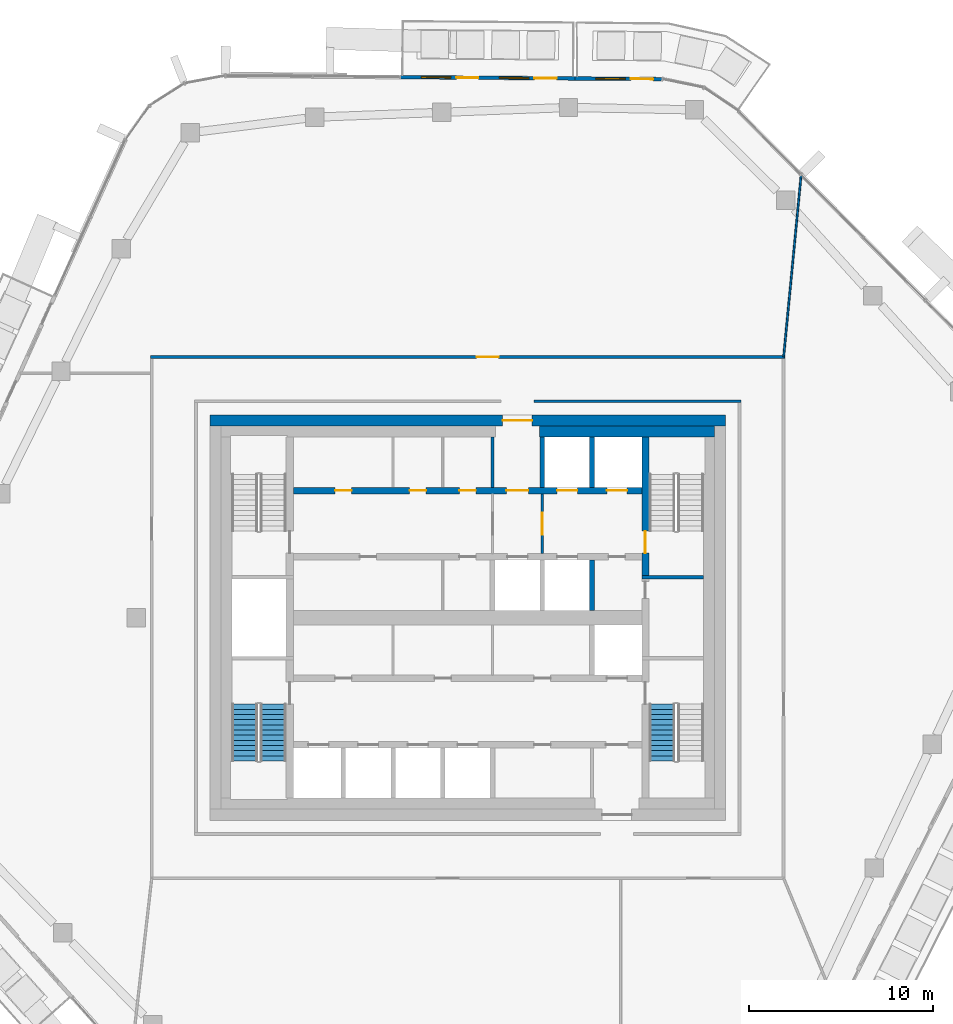
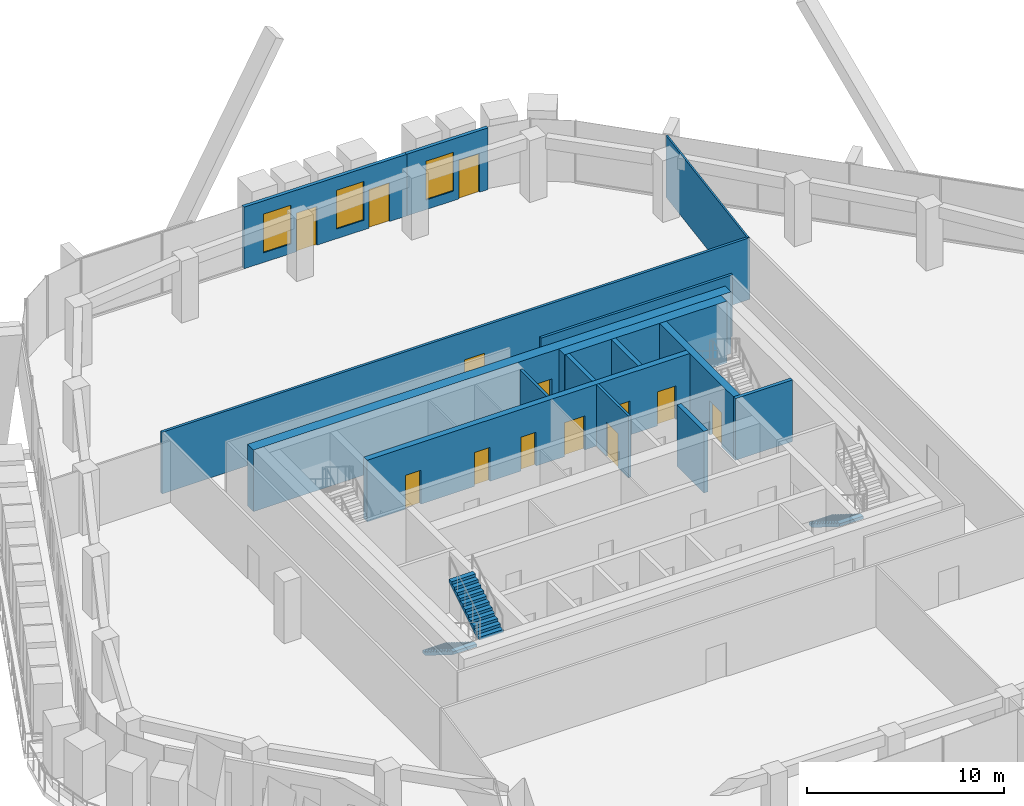
# One storey, part 15 of 23: 15 walls, 13 doors, 3 stair flights, 3 windows, 16 openings, 2 elements without a shape of their own.
"""IFC4 building model written with IfcOpenShell, lengths in metres."""

from ifc_helpers import new_model, si_unit, direction, frame, frame_2d, origin, place, context, subcontext, project, spatial, polyline, rectangle, outline, extrude, material, layer, layer_set, type_object, element, fill, aggregate, save


model = new_model("IFC4")

# Units and contexts
model_context = context("Model", 3, precision=1e-05, world=origin(), true_north=direction((0.0, 1.0)))
body_context = subcontext(model_context, "Body", "Model", "MODEL_VIEW")
ifc_project = project(units=[si_unit("LENGTHUNIT", "METRE"), si_unit("AREAUNIT", "SQUARE_METRE"), si_unit("VOLUMEUNIT", "CUBIC_METRE"), si_unit("PLANEANGLEUNIT", "RADIAN"), si_unit("MASSUNIT", "GRAM", prefix="KILO")], contexts=[model_context])

# Site, building, storey
site_placement = place(None, origin())
site = spatial("IfcSite", under=ifc_project, at=site_placement, CompositionType="ELEMENT")
building_placement = place(site_placement, origin())
building = spatial("IfcBuilding", under=site, at=building_placement, Name="Dongbaek Canopy Tower", CompositionType="ELEMENT")
storey_placement = place(building_placement, frame((0.0, 0.0, 327.800048828125)))
storey = spatial("IfcBuildingStorey", under=building, at=storey_placement, Name="L70", CompositionType="ELEMENT", Elevation=327.800048828125)

# Wall, openings, doors
ifc_material_1 = material(Name="Concrete C60/75", Category="concrete")
ifc_layer_1 = layer(ifc_material_1, 0.35009765625)
ifc_layer_set_1 = layer_set([ifc_layer_1], Name="Core lobby wall 350 Concrete C60/75")
wall_type_1 = type_object("IfcWallType", Name="Core lobby wall 350 Concrete C60/75", PredefinedType="SHEAR", material=ifc_layer_set_1)
wall_1_placement = place(storey_placement, frame((-9.449951171875, 6.89990234375, 0.0), z_axis=(0.0, 0.0, 1.0), x_axis=(1.0, 0.0, 0.0)))
wall_1 = element("IfcWall", 1, at=wall_1_placement, inside=storey, type_object=wall_type_1, Name="Core wall", PredefinedType="SHEAR", context=body_context, shape_type="SweptSolid", body=[
    extrude(rectangle(XDim=18.89990234375, YDim=0.35009765625, at=frame_2d((9.449951171875, 0.0))), origin(), (0.0, 0.0, 1.0), 3.820068359375),
])
opening_1_placement = place(wall_1_placement, frame((11.550048828125, 0.0, 0.0)))
opening_1 = element("IfcOpeningElement", 2, at=opening_1_placement, cuts=wall_1, Name="Opening L70-D008", PredefinedType="OPENING", context=body_context, shape_type="SweptSolid", body=[
    extrude(rectangle(XDim=1.199951171875, YDim=2.10009765625, at=frame_2d((0.60009765625, 1.050048828125))), frame((0.0, 0.18505859375, 0.0), z_axis=(0.0, -1.0, 0.0), x_axis=(1.0, 0.0, 0.0)), (0.0, 0.0, 1.0), 0.3701171875),
])
opening_2_placement = place(wall_1_placement, frame((14.300048828125, 0.0, 0.0)))
opening_2 = element("IfcOpeningElement", 3, at=opening_2_placement, cuts=wall_1, Name="Opening L70-D009", PredefinedType="OPENING", context=body_context, shape_type="SweptSolid", body=[
    extrude(rectangle(XDim=1.10009765625, YDim=2.10009765625, at=frame_2d((0.550048828125, 1.050048828125))), frame((0.0, 0.18505859375, 0.0), z_axis=(0.0, -1.0, 0.0), x_axis=(1.0, 0.0, 0.0)), (0.0, 0.0, 1.0), 0.3701171875),
])
opening_3_placement = place(wall_1_placement, frame((17.0, 0.0, 0.0)))
opening_3 = element("IfcOpeningElement", 4, at=opening_3_placement, cuts=wall_1, Name="Opening L70-D010", PredefinedType="OPENING", context=body_context, shape_type="SweptSolid", body=[
    extrude(rectangle(XDim=1.10009765625, YDim=2.10009765625, at=frame_2d((0.550048828125, 1.050048828125))), frame((0.0, 0.18505859375, 0.0), z_axis=(0.0, -1.0, 0.0), x_axis=(1.0, 0.0, 0.0)), (0.0, 0.0, 1.0), 0.3701171875),
])
opening_4_placement = place(wall_1_placement, frame((2.25, 0.0, 0.0)))
opening_4 = element("IfcOpeningElement", 5, at=opening_4_placement, cuts=wall_1, Name="Opening L70-D021", PredefinedType="OPENING", context=body_context, shape_type="SweptSolid", body=[
    extrude(rectangle(XDim=0.89990234375, YDim=2.10009765625, at=frame_2d((0.449951171875, 1.050048828125))), frame((0.0, 0.18505859375, 0.0), z_axis=(0.0, -1.0, 0.0), x_axis=(1.0, 0.0, 0.0)), (0.0, 0.0, 1.0), 0.3701171875),
])
opening_5_placement = place(wall_1_placement, frame((6.300048828125, 0.0, 0.0)))
opening_5 = element("IfcOpeningElement", 6, at=opening_5_placement, cuts=wall_1, Name="Opening L70-D022", PredefinedType="OPENING", context=body_context, shape_type="SweptSolid", body=[
    extrude(rectangle(XDim=0.89990234375, YDim=2.10009765625, at=frame_2d((0.449951171875, 1.050048828125))), frame((0.0, 0.18505859375, 0.0), z_axis=(0.0, -1.0, 0.0), x_axis=(1.0, 0.0, 0.0)), (0.0, 0.0, 1.0), 0.3701171875),
])
opening_6_placement = place(wall_1_placement, frame((9.0, 0.0, 0.0)))
opening_6 = element("IfcOpeningElement", 7, at=opening_6_placement, cuts=wall_1, Name="Opening L70-D023", PredefinedType="OPENING", context=body_context, shape_type="SweptSolid", body=[
    extrude(rectangle(XDim=0.89990234375, YDim=2.10009765625, at=frame_2d((0.449951171875, 1.050048828125))), frame((0.0, 0.18505859375, 0.0), z_axis=(0.0, -1.0, 0.0), x_axis=(1.0, 0.0, 0.0)), (0.0, 0.0, 1.0), 0.3701171875),
])
ifc_material_2 = material(Name="Steel", Category="steel")
door_type_1 = type_object("IfcDoorType", Name="Core room door 900 x 2100", OperationType="SINGLE_SWING_LEFT", PredefinedType="DOOR", material=ifc_material_2)
door_1_placement = place(opening_4_placement, origin())
door_1 = element("IfcDoor", 8, at=door_1_placement, inside=storey, type_object=door_type_1, Name="Door L70-D021", OperationType="SINGLE_SWING_RIGHT", OverallHeight=2.10009765625, OverallWidth=0.89990234375, PredefinedType="DOOR", context=body_context, shape_type="SweptSolid", body=[
    extrude(rectangle(XDim=0.89990234375, YDim=2.10009765625, at=frame_2d((0.449951171875, 1.050048828125))), frame((0.0, 0.02490234375, 0.0), z_axis=(0.0, -1.0, 0.0), x_axis=(1.0, 0.0, 0.0)), (0.0, 0.0, 1.0), 0.050048828125),
])
fill(opening_4, door_1)
door_2_placement = place(opening_5_placement, origin())
door_2 = element("IfcDoor", 9, at=door_2_placement, inside=storey, type_object=door_type_1, Name="Door L70-D022", OperationType="SINGLE_SWING_LEFT", OverallHeight=2.10009765625, OverallWidth=0.89990234375, PredefinedType="DOOR", context=body_context, shape_type="SweptSolid", body=[
    extrude(rectangle(XDim=0.89990234375, YDim=2.10009765625, at=frame_2d((0.449951171875, 1.050048828125))), frame((0.0, 0.02490234375, 0.0), z_axis=(0.0, -1.0, 0.0), x_axis=(1.0, 0.0, 0.0)), (0.0, 0.0, 1.0), 0.050048828125),
])
fill(opening_5, door_2)
door_3_placement = place(opening_6_placement, origin())
door_3 = element("IfcDoor", 10, at=door_3_placement, inside=storey, type_object=door_type_1, Name="Door L70-D023", OperationType="SINGLE_SWING_RIGHT", OverallHeight=2.10009765625, OverallWidth=0.89990234375, PredefinedType="DOOR", context=body_context, shape_type="SweptSolid", body=[
    extrude(rectangle(XDim=0.89990234375, YDim=2.10009765625, at=frame_2d((0.449951171875, 1.050048828125))), frame((0.0, 0.02490234375, 0.0), z_axis=(0.0, -1.0, 0.0), x_axis=(1.0, 0.0, 0.0)), (0.0, 0.0, 1.0), 0.050048828125),
])
fill(opening_6, door_3)
ifc_material_3 = material(Name="Steel", Category="steel")
door_type_2 = type_object("IfcDoorType", Name="Fire lobby door 1200 x 2100", OperationType="SINGLE_SWING_LEFT", PredefinedType="DOOR", material=ifc_material_3)
door_4_placement = place(opening_1_placement, origin())
door_4 = element("IfcDoor", 11, at=door_4_placement, inside=storey, type_object=door_type_2, Name="Door L70-D008", OperationType="SINGLE_SWING_LEFT", OverallHeight=2.10009765625, OverallWidth=1.199951171875, PredefinedType="DOOR", context=body_context, shape_type="SweptSolid", body=[
    extrude(rectangle(XDim=1.199951171875, YDim=2.10009765625, at=frame_2d((0.60009765625, 1.050048828125))), frame((0.0, 0.02490234375, 0.0), z_axis=(0.0, -1.0, 0.0), x_axis=(1.0, 0.0, 0.0)), (0.0, 0.0, 1.0), 0.050048828125),
])
fill(opening_1, door_4)
ifc_material_4 = material(Name="Stainless steel", Category="steel")
door_type_3 = type_object("IfcDoorType", Name="Lift landing door 1100 x 2100", OperationType="DOUBLE_DOOR_SLIDING", PredefinedType="DOOR", material=ifc_material_4)
door_5_placement = place(opening_2_placement, origin())
door_5 = element("IfcDoor", 12, at=door_5_placement, inside=storey, type_object=door_type_3, Name="Landing door FF1", OperationType="DOUBLE_DOOR_SLIDING", OverallHeight=2.10009765625, OverallWidth=1.10009765625, PredefinedType="DOOR", context=body_context, shape_type="SweptSolid", body=[
    extrude(rectangle(XDim=1.10009765625, YDim=2.10009765625, at=frame_2d((0.550048828125, 1.050048828125))), frame((0.0, 0.02490234375, 0.0), z_axis=(0.0, -1.0, 0.0), x_axis=(1.0, 0.0, 0.0)), (0.0, 0.0, 1.0), 0.050048828125),
])
fill(opening_2, door_5)
door_6_placement = place(opening_3_placement, origin())
door_6 = element("IfcDoor", 13, at=door_6_placement, inside=storey, type_object=door_type_3, Name="Landing door FF2", OperationType="DOUBLE_DOOR_SLIDING", OverallHeight=2.10009765625, OverallWidth=1.10009765625, PredefinedType="DOOR", context=body_context, shape_type="SweptSolid", body=[
    extrude(rectangle(XDim=1.10009765625, YDim=2.10009765625, at=frame_2d((0.550048828125, 1.050048828125))), frame((0.0, 0.02490234375, 0.0), z_axis=(0.0, -1.0, 0.0), x_axis=(1.0, 0.0, 0.0)), (0.0, 0.0, 1.0), 0.050048828125),
])
fill(opening_3, door_6)

# Wall, opening, door
ifc_material_5 = material(Name="Concrete C80/95", Category="concrete")
ifc_layer_2 = layer(ifc_material_5, 0.60009765625)
ifc_layer_set_2 = layer_set([ifc_layer_2], Name="Core outer wall 600 Concrete C80/95")
wall_type_2 = type_object("IfcWallType", Name="Core outer wall 600 Concrete C80/95", PredefinedType="SHEAR", material=ifc_layer_set_2)
wall_2_placement = place(storey_placement, frame((-14.0, 10.699951171875, 0.0), z_axis=(0.0, 0.0, 1.0), x_axis=(1.0, 0.0, 0.0)))
wall_2 = element("IfcWall", 14, at=wall_2_placement, inside=storey, type_object=wall_type_2, Name="Core wall", PredefinedType="SHEAR", context=body_context, shape_type="SweptSolid", body=[
    extrude(rectangle(XDim=28.0, YDim=0.60009765625, at=frame_2d((14.0, 0.0))), origin(), (0.0, 0.0, 1.0), 3.820068359375),
])
opening_7_placement = place(wall_2_placement, frame((15.89990234375, 0.0, 0.0)))
opening_7 = element("IfcOpeningElement", 15, at=opening_7_placement, cuts=wall_2, Name="Opening L70-D007", PredefinedType="OPENING", context=body_context, shape_type="SweptSolid", body=[
    extrude(rectangle(XDim=1.60009765625, YDim=2.10009765625, at=frame_2d((0.800048828125, 1.050048828125))), frame((0.0, 0.31005859375, 0.0), z_axis=(0.0, -1.0, 0.0), x_axis=(1.0, 0.0, 0.0)), (0.0, 0.0, 1.0), 0.6201171875),
])
ifc_material_6 = material(Name="Steel", Category="steel")
door_type_4 = type_object("IfcDoorType", Name="Core exit door 1600 x 2100", OperationType="DOUBLE_DOOR_SINGLE_SWING", PredefinedType="DOOR", material=ifc_material_6)
door_7_placement = place(opening_7_placement, origin())
door_7 = element("IfcDoor", 16, at=door_7_placement, inside=storey, type_object=door_type_4, Name="Core exit door", OperationType="DOUBLE_DOOR_SINGLE_SWING", OverallHeight=2.10009765625, OverallWidth=1.60009765625, PredefinedType="DOOR", context=body_context, shape_type="SweptSolid", body=[
    extrude(rectangle(XDim=1.60009765625, YDim=2.10009765625, at=frame_2d((0.800048828125, 1.050048828125))), frame((0.0, 0.02490234375, 0.0), z_axis=(0.0, -1.0, 0.0), x_axis=(1.0, 0.0, 0.0)), (0.0, 0.0, 1.0), 0.050048828125),
])
fill(opening_7, door_7)

# Walls
ifc_material_7 = material(Name="Concrete C60/75", Category="concrete")
ifc_layer_3 = layer(ifc_material_7, 0.60009765625)
ifc_layer_set_3 = layer_set([ifc_layer_3], Name="Core wall lining 600 Concrete C60/75")
wall_type_3 = type_object("IfcWallType", Name="Core wall lining 600 Concrete C60/75", PredefinedType="SHEAR", material=ifc_layer_set_3)
wall_3_placement = place(storey_placement, frame((3.89990234375, 10.10009765625, 0.0), z_axis=(0.0, 0.0, 1.0), x_axis=(1.0, 0.0, 0.0)))
element("IfcWall", 17, at=wall_3_placement, inside=storey, type_object=wall_type_3, Name="Core wall lining", PredefinedType="SHEAR", context=body_context, shape_type="SweptSolid", body=[
    extrude(rectangle(XDim=9.5, YDim=0.60009765625, at=frame_2d((4.75, 0.0))), origin(), (0.0, 0.0, 1.0), 3.820068359375),
])
ifc_material_8 = material(Name="Gypsum board partition, steel stud, 2 x 15 mm fire board", Category="steel")
ifc_layer_4 = layer(ifc_material_8, 0.14990234375)
ifc_layer_set_4 = layer_set([ifc_layer_4], Name="Fire-rated partition 150 gypsum board")
wall_type_4 = type_object("IfcWallType", Name="Fire-rated partition 150 gypsum board", PredefinedType="PARTITIONING", material=ifc_layer_set_4)
wall_4_placement = place(storey_placement, frame((3.60009765625, 11.75, 0.0), z_axis=(0.0, 0.0, 1.0), x_axis=(1.0, 0.0, 0.0)))
element("IfcWall", 18, at=wall_4_placement, inside=storey, type_object=wall_type_4, Name="Corridor partition", PredefinedType="PARTITIONING", context=body_context, shape_type="SweptSolid", body=[
    extrude(rectangle(XDim=11.224853515625, YDim=0.14990234375, at=frame_2d((5.6123046875, 0.0))), origin(), (0.0, 0.0, 1.0), 3.820068359375),
])

# Wall, opening, door
wall_5_placement = place(storey_placement, frame((-17.22509765625, 14.14990234375, 0.0), z_axis=(0.0, 0.0, 1.0), x_axis=(1.0, 0.0, 0.0)))
wall_5 = element("IfcWall", 19, at=wall_5_placement, inside=storey, type_object=wall_type_4, Name="Corridor partition", PredefinedType="PARTITIONING", context=body_context, shape_type="SweptSolid", body=[
    extrude(rectangle(XDim=34.4501953125, YDim=0.14990234375, at=frame_2d((17.22509765625, 0.0))), origin(), (0.0, 0.0, 1.0), 3.820068359375),
])
opening_8_placement = place(wall_5_placement, frame((17.706298828125, 0.0, 0.0)))
opening_8 = element("IfcOpeningElement", 20, at=opening_8_placement, cuts=wall_5, Name="Opening L70-D005", PredefinedType="OPENING", context=body_context, shape_type="SweptSolid", body=[
    extrude(rectangle(XDim=1.199951171875, YDim=2.10009765625, at=frame_2d((0.60009765625, 1.050048828125))), frame((0.0, 0.0849609375, 0.0), z_axis=(0.0, -1.0, 0.0), x_axis=(1.0, 0.0, 0.0)), (0.0, 0.0, 1.0), 0.169921875),
])
ifc_material_9 = material(Name="Timber veneered door leaf", Category="wood")
door_type_5 = type_object("IfcDoorType", Name="Room door 1200 x 2100", OperationType="SINGLE_SWING_LEFT", PredefinedType="DOOR", material=ifc_material_9)
door_8_placement = place(opening_8_placement, origin())
door_8 = element("IfcDoor", 21, at=door_8_placement, inside=storey, type_object=door_type_5, Name="Door L70-D005", OperationType="SINGLE_SWING_RIGHT", OverallHeight=2.10009765625, OverallWidth=1.199951171875, PredefinedType="DOOR", context=body_context, shape_type="SweptSolid", body=[
    extrude(rectangle(XDim=1.199951171875, YDim=2.10009765625, at=frame_2d((0.60009765625, 1.050048828125))), frame((0.0, 0.02490234375, 0.0), z_axis=(0.0, -1.0, 0.0), x_axis=(1.0, 0.0, 0.0)), (0.0, 0.0, 1.0), 0.050048828125),
])
fill(opening_8, door_8)

wall_6_placement = place(storey_placement, frame((4.050048828125, 6.72509765625, 0.0), z_axis=(0.0, 0.0, 1.0), x_axis=(0.0, -1.0, 0.0)))
wall_6 = element("IfcWall", 22, at=wall_6_placement, inside=storey, type_object=wall_type_4, Name="Fire lobby partition", PredefinedType="PARTITIONING", context=body_context, shape_type="SweptSolid", body=[
    extrude(rectangle(XDim=3.25, YDim=0.14990234375, at=frame_2d((1.625, 0.0))), origin(), (0.0, 0.0, 1.0), 3.820068359375),
])
opening_9_placement = place(wall_6_placement, frame((1.02490234375, 0.0, 0.0)))
opening_9 = element("IfcOpeningElement", 23, at=opening_9_placement, cuts=wall_6, Name="Opening L70-D035", PredefinedType="OPENING", context=body_context, shape_type="SweptSolid", body=[
    extrude(rectangle(XDim=1.199951171875, YDim=2.10009765625, at=frame_2d((0.60009765625, 1.050048828125))), frame((0.0, 0.0849609375, 0.0), z_axis=(0.0, -1.0, 0.0), x_axis=(1.0, 0.0, 0.0)), (0.0, 0.0, 1.0), 0.169921875),
])
door_9_placement = place(opening_9_placement, origin())
door_9 = element("IfcDoor", 24, at=door_9_placement, inside=storey, type_object=door_type_2, Name="Door L70-D035", OperationType="SINGLE_SWING_RIGHT", OverallHeight=2.10009765625, OverallWidth=1.199951171875, PredefinedType="DOOR", context=body_context, shape_type="SweptSolid", body=[
    extrude(rectangle(XDim=1.199951171875, YDim=2.10009765625, at=frame_2d((0.60009765625, 1.050048828125))), frame((0.0, 0.02490234375, 0.0), z_axis=(0.0, -1.0, 0.0), x_axis=(1.0, 0.0, 0.0)), (0.0, 0.0, 1.0), 0.050048828125),
])
fill(opening_9, door_9)

# Walls
wall_7_placement = place(storey_placement, frame((1.35009765625, 7.074951171875, 0.0), z_axis=(0.0, 0.0, 1.0), x_axis=(0.0, 1.0, 0.0)))
element("IfcWall", 25, at=wall_7_placement, inside=storey, type_object=wall_type_4, Name="Fire lobby partition", PredefinedType="PARTITIONING", context=body_context, shape_type="SweptSolid", body=[
    extrude(rectangle(XDim=2.72509765625, YDim=0.14990234375, at=frame_2d((1.362548828125, 0.0))), origin(), (0.0, 0.0, 1.0), 3.820068359375),
])
ifc_material_10 = material(Name="Concrete C40/50", Category="concrete")
ifc_layer_5 = layer(ifc_material_10, 0.25)
ifc_layer_set_5 = layer_set([ifc_layer_5], Name="Lift shaft wall 250 Concrete C40/50")
wall_type_5 = type_object("IfcWallType", Name="Lift shaft wall 250 Concrete C40/50", PredefinedType="SOLIDWALL", material=ifc_layer_set_5)
for number, where, z_axis, x_axis, name in (
    (26, (6.75, 0.39990234375, 0.0), (0.0, 0.0, 1.0), (0.0, 1.0, 0.0), "Lift shaft wall"),
    (27, (6.75, 7.074951171875, 0.0), (0.0, 0.0, 1.0), (0.0, 1.0, 0.0), "Lift shaft wall"),
    (28, (4.050048828125, 7.074951171875, 0.0), (0.0, 0.0, 1.0), (0.0, 1.0, 0.0), "Lift shaft wall"),
):
    element("IfcWall", number, at=place(storey_placement, frame(where, z_axis=z_axis, x_axis=x_axis)), inside=storey, type_object=wall_type_5, Name=name, PredefinedType="SOLIDWALL", context=body_context, shape_type="SweptSolid", body=[
        extrude(rectangle(XDim=2.72509765625, YDim=0.25, at=frame_2d((1.362548828125, 0.0))), origin(), (0.0, 0.0, 1.0), 3.820068359375),
    ])
ifc_material_11 = material(Name="Gypsum board partition, steel stud, 2 x 12.5 mm board", Category="steel")
ifc_layer_6 = layer(ifc_material_11, 0.10009765625)
ifc_layer_set_6 = layer_set([ifc_layer_6], Name="Partition 100 gypsum board")
wall_type_6 = type_object("IfcWallType", Name="Partition 100 gypsum board", PredefinedType="PARTITIONING", material=ifc_layer_set_6)
wall_8_placement = place(storey_placement, frame((17.150390625, 14.14990234375, 0.0), z_axis=(0.0, 0.0, 1.0), x_axis=(0.095686172631, 0.995411551253, 0.0)))
element("IfcWall", 29, at=wall_8_placement, inside=storey, type_object=wall_type_6, Name="Partition", PredefinedType="PARTITIONING", context=body_context, shape_type="SweptSolid", body=[
    extrude(rectangle(XDim=9.930419921875, YDim=0.10009765625, at=frame_2d((4.96533203125, 0.0))), origin(), (0.0, 0.0, 1.0), 3.820068359375),
])
ifc_material_12 = material(Name="Concrete C60/75", Category="concrete")
ifc_layer_7 = layer(ifc_material_12, 0.199951171875)
ifc_layer_set_7 = layer_set([ifc_layer_7], Name="Riser wall 200 Concrete C60/75")
wall_type_7 = type_object("IfcWallType", Name="Riser wall 200 Concrete C60/75", PredefinedType="SHEAR", material=ifc_layer_set_7)
wall_9_placement = place(storey_placement, frame((9.449951171875, 2.199951171875, 0.0), z_axis=(0.0, 0.0, 1.0), x_axis=(1.0, 0.0, 0.0)))
element("IfcWall", 30, at=wall_9_placement, inside=storey, type_object=wall_type_7, Name="Riser wall", PredefinedType="SHEAR", context=body_context, shape_type="SweptSolid", body=[
    extrude(rectangle(XDim=3.35009765625, YDim=0.199951171875, at=frame_2d((1.675048828125, 0.0))), origin(), (0.0, 0.0, 1.0), 3.820068359375),
])

# Wall, opening, door
ifc_material_13 = material(Name="Concrete C60/75", Category="concrete")
ifc_layer_8 = layer(ifc_material_13, 0.39990234375)
ifc_layer_set_8 = layer_set([ifc_layer_8], Name="Stair wall 400 Concrete C60/75")
wall_type_8 = type_object("IfcWallType", Name="Stair wall 400 Concrete C60/75", PredefinedType="SHEAR", material=ifc_layer_set_8)
wall_10_placement = place(storey_placement, frame((9.64990234375, 9.800048828125, 0.0), z_axis=(0.0, 0.0, 1.0), x_axis=(0.0, -1.0, 0.0)))
wall_10 = element("IfcWall", 31, at=wall_10_placement, inside=storey, type_object=wall_type_8, Name="Stair wall", PredefinedType="SHEAR", context=body_context, shape_type="SweptSolid", body=[
    extrude(rectangle(XDim=7.5, YDim=0.39990234375, at=frame_2d((3.75, 0.0))), origin(), (0.0, 0.0, 1.0), 3.820068359375),
])
opening_10_placement = place(wall_10_placement, frame((5.10009765625, 0.0, 0.0)))
opening_10 = element("IfcOpeningElement", 32, at=opening_10_placement, cuts=wall_10, Name="Opening L70-D030", PredefinedType="OPENING", context=body_context, shape_type="SweptSolid", body=[
    extrude(rectangle(XDim=1.199951171875, YDim=2.10009765625, at=frame_2d((0.60009765625, 1.050048828125))), frame((0.0, 0.2099609375, 0.0), z_axis=(0.0, -1.0, 0.0), x_axis=(1.0, 0.0, 0.0)), (0.0, 0.0, 1.0), 0.419921875),
])
ifc_material_14 = material(Name="Steel", Category="steel")
door_type_6 = type_object("IfcDoorType", Name="Stair door 1200 x 2100", OperationType="SINGLE_SWING_LEFT", PredefinedType="DOOR", material=ifc_material_14)
door_10_placement = place(opening_10_placement, origin())
door_10 = element("IfcDoor", 33, at=door_10_placement, inside=storey, type_object=door_type_6, Name="Stair A door", OperationType="SINGLE_SWING_LEFT", OverallHeight=2.10009765625, OverallWidth=1.199951171875, PredefinedType="DOOR", context=body_context, shape_type="SweptSolid", body=[
    extrude(rectangle(XDim=1.199951171875, YDim=2.10009765625, at=frame_2d((0.60009765625, 1.050048828125))), frame((0.0, 0.02490234375, 0.0), z_axis=(0.0, -1.0, 0.0), x_axis=(1.0, 0.0, 0.0)), (0.0, 0.0, 1.0), 0.050048828125),
])
fill(opening_10, door_10)

# Wall, openings, doors, windows
ifc_material_15 = material(Name="Aluminium window wall", Category="aluminium")
ifc_layer_9 = layer(ifc_material_15, 0.199951171875)
ifc_layer_set_9 = layer_set([ifc_layer_9], Name="Window wall 200")
wall_type_9 = type_object("IfcWallType", Name="Window wall 200", PredefinedType="SOLIDWALL", material=ifc_layer_set_9)
wall_11_placement = place(storey_placement, frame((5.82666015625, 29.267333984375, 0.0), z_axis=(0.0, 0.0, 1.0), x_axis=(-0.999969823552, 0.007768653994, 0.0)))
wall_11 = element("IfcWall", 34, at=wall_11_placement, inside=storey, type_object=wall_type_9, Name="Window wall L70 1", PredefinedType="SOLIDWALL", context=body_context, shape_type="SweptSolid", body=[
    extrude(rectangle(XDim=9.49072265625, YDim=0.199951171875, at=frame_2d((4.745361328125, 0.0))), origin(), (0.0, 0.0, 1.0), 3.820068359375),
])
opening_11_placement = place(wall_11_placement, frame((2.5, 0.0, 0.60009765625)))
opening_11 = element("IfcOpeningElement", 35, at=opening_11_placement, cuts=wall_11, Name="Opening W1", PredefinedType="OPENING", context=body_context, shape_type="SweptSolid", body=[
    extrude(rectangle(XDim=1.60009765625, YDim=2.39990234375, at=frame_2d((0.800048828125, 1.199951171875))), frame((0.0, 0.10986328125, 0.0), z_axis=(0.0, -1.0, 0.0), x_axis=(1.0, 0.0, 0.0)), (0.0, 0.0, 1.0), 0.219970703125),
])
opening_12_placement = place(wall_11_placement, frame((1.0, 0.0, 0.0)))
opening_12 = element("IfcOpeningElement", 36, at=opening_12_placement, cuts=wall_11, Name="Opening L70-B01", PredefinedType="OPENING", context=body_context, shape_type="SweptSolid", body=[
    extrude(rectangle(XDim=1.199951171875, YDim=2.39990234375, at=frame_2d((0.60009765625, 1.199951171875))), frame((0.0, 0.10986328125, 0.0), z_axis=(0.0, -1.0, 0.0), x_axis=(1.0, 0.0, 0.0)), (0.0, 0.0, 1.0), 0.219970703125),
])
opening_13_placement = place(wall_11_placement, frame((6.745361328125, 0.0, 0.60009765625)))
opening_13 = element("IfcOpeningElement", 37, at=opening_13_placement, cuts=wall_11, Name="Opening W1", PredefinedType="OPENING", context=body_context, shape_type="SweptSolid", body=[
    extrude(rectangle(XDim=1.60009765625, YDim=2.39990234375, at=frame_2d((0.800048828125, 1.199951171875))), frame((0.0, 0.10986328125, 0.0), z_axis=(0.0, -1.0, 0.0), x_axis=(1.0, 0.0, 0.0)), (0.0, 0.0, 1.0), 0.219970703125),
])
opening_14_placement = place(wall_11_placement, frame((5.245361328125, 0.0, 0.0)))
opening_14 = element("IfcOpeningElement", 38, at=opening_14_placement, cuts=wall_11, Name="Opening L70-B02", PredefinedType="OPENING", context=body_context, shape_type="SweptSolid", body=[
    extrude(rectangle(XDim=1.199951171875, YDim=2.39990234375, at=frame_2d((0.60009765625, 1.199951171875))), frame((0.0, 0.10986328125, 0.0), z_axis=(0.0, -1.0, 0.0), x_axis=(1.0, 0.0, 0.0)), (0.0, 0.0, 1.0), 0.219970703125),
])
ifc_material_16 = material(Name="Clear glazing in aluminium frame", Category="aluminium")
door_type_7 = type_object("IfcDoorType", Name="Balcony door BD1 1200 x 2400", OperationType="SLIDING_TO_LEFT", PredefinedType="DOOR", material=ifc_material_16)
door_11_placement = place(opening_12_placement, origin())
door_11 = element("IfcDoor", 39, at=door_11_placement, inside=storey, type_object=door_type_7, Name="Balcony door L70-B01", OperationType="SLIDING_TO_LEFT", OverallHeight=2.39990234375, OverallWidth=1.199951171875, PredefinedType="DOOR", context=body_context, shape_type="SweptSolid", body=[
    extrude(rectangle(XDim=1.199951171875, YDim=2.39990234375, at=frame_2d((0.60009765625, 1.199951171875))), frame((0.0, 0.02490234375, 0.0), z_axis=(0.0, -1.0, 0.0), x_axis=(1.0, 0.0, 0.0)), (0.0, 0.0, 1.0), 0.050048828125),
])
fill(opening_12, door_11)
door_12_placement = place(opening_14_placement, origin())
door_12 = element("IfcDoor", 40, at=door_12_placement, inside=storey, type_object=door_type_7, Name="Balcony door L70-B02", OperationType="SLIDING_TO_LEFT", OverallHeight=2.39990234375, OverallWidth=1.199951171875, PredefinedType="DOOR", context=body_context, shape_type="SweptSolid", body=[
    extrude(rectangle(XDim=1.199951171875, YDim=2.39990234375, at=frame_2d((0.60009765625, 1.199951171875))), frame((0.0, 0.02490234375, 0.0), z_axis=(0.0, -1.0, 0.0), x_axis=(1.0, 0.0, 0.0)), (0.0, 0.0, 1.0), 0.050048828125),
])
fill(opening_14, door_12)
ifc_material_17 = material(Name="Clear glazing in aluminium frame", Category="aluminium")
window_type = type_object("IfcWindowType", Name="Window W1 1600 x 2400", PartitioningType="SINGLE_PANEL", PredefinedType="WINDOW", material=ifc_material_17)
window_1_placement = place(opening_11_placement, origin())
window_1 = element("IfcWindow", 41, at=window_1_placement, inside=storey, type_object=window_type, Name="Window L70 1.1", OverallHeight=2.39990234375, OverallWidth=1.60009765625, PartitioningType="SINGLE_PANEL", PredefinedType="WINDOW", context=body_context, shape_type="SweptSolid", body=[
    extrude(rectangle(XDim=1.60009765625, YDim=2.39990234375, at=frame_2d((0.800048828125, 1.199951171875))), frame((0.0, 0.030029296875, 0.0), z_axis=(0.0, -1.0, 0.0), x_axis=(1.0, 0.0, 0.0)), (0.0, 0.0, 1.0), 0.06005859375),
])
fill(opening_11, window_1)
window_2_placement = place(opening_13_placement, origin())
window_2 = element("IfcWindow", 42, at=window_2_placement, inside=storey, type_object=window_type, Name="Window L70 1.2", OverallHeight=2.39990234375, OverallWidth=1.60009765625, PartitioningType="SINGLE_PANEL", PredefinedType="WINDOW", context=body_context, shape_type="SweptSolid", body=[
    extrude(rectangle(XDim=1.60009765625, YDim=2.39990234375, at=frame_2d((0.800048828125, 1.199951171875))), frame((0.0, 0.030029296875, 0.0), z_axis=(0.0, -1.0, 0.0), x_axis=(1.0, 0.0, 0.0)), (0.0, 0.0, 1.0), 0.06005859375),
])
fill(opening_13, window_2)

# Wall, openings, door, window
wall_12_placement = place(storey_placement, frame((10.56201171875, 29.23046875, 0.0), z_axis=(0.0, 0.0, 1.0), x_axis=(-0.999969697406, 0.007784874423, 0.0)))
wall_12 = element("IfcWall", 43, at=wall_12_placement, inside=storey, type_object=wall_type_9, Name="Window wall L70 5", PredefinedType="SOLIDWALL", context=body_context, shape_type="SweptSolid", body=[
    extrude(rectangle(XDim=4.735595703125, YDim=0.199951171875, at=frame_2d((2.36767578125, 0.0))), origin(), (0.0, 0.0, 1.0), 3.820068359375),
])
opening_15_placement = place(wall_12_placement, frame((2.0, 0.0, 0.60009765625)))
opening_15 = element("IfcOpeningElement", 44, at=opening_15_placement, cuts=wall_12, Name="Opening W1", PredefinedType="OPENING", context=body_context, shape_type="SweptSolid", body=[
    extrude(rectangle(XDim=1.60009765625, YDim=2.39990234375, at=frame_2d((0.800048828125, 1.199951171875))), frame((0.0, 0.10986328125, 0.0), z_axis=(0.0, -1.0, 0.0), x_axis=(1.0, 0.0, 0.0)), (0.0, 0.0, 1.0), 0.219970703125),
])
opening_16_placement = place(wall_12_placement, frame((0.5, 0.0, 0.0)))
opening_16 = element("IfcOpeningElement", 45, at=opening_16_placement, cuts=wall_12, Name="Opening L70-B03", PredefinedType="OPENING", context=body_context, shape_type="SweptSolid", body=[
    extrude(rectangle(XDim=1.199951171875, YDim=2.39990234375, at=frame_2d((0.60009765625, 1.199951171875))), frame((0.0, 0.10986328125, 0.0), z_axis=(0.0, -1.0, 0.0), x_axis=(1.0, 0.0, 0.0)), (0.0, 0.0, 1.0), 0.219970703125),
])
door_13_placement = place(opening_16_placement, origin())
door_13 = element("IfcDoor", 46, at=door_13_placement, inside=storey, type_object=door_type_7, Name="Balcony door L70-B03", OperationType="SLIDING_TO_LEFT", OverallHeight=2.39990234375, OverallWidth=1.199951171875, PredefinedType="DOOR", context=body_context, shape_type="SweptSolid", body=[
    extrude(rectangle(XDim=1.199951171875, YDim=2.39990234375, at=frame_2d((0.60009765625, 1.199951171875))), frame((0.0, 0.02490234375, 0.0), z_axis=(0.0, -1.0, 0.0), x_axis=(1.0, 0.0, 0.0)), (0.0, 0.0, 1.0), 0.050048828125),
])
fill(opening_16, door_13)
window_3_placement = place(opening_15_placement, origin())
window_3 = element("IfcWindow", 47, at=window_3_placement, inside=storey, type_object=window_type, Name="Window L70 5.1", OverallHeight=2.39990234375, OverallWidth=1.60009765625, PartitioningType="SINGLE_PANEL", PredefinedType="WINDOW", context=body_context, shape_type="SweptSolid", body=[
    extrude(rectangle(XDim=1.60009765625, YDim=2.39990234375, at=frame_2d((0.800048828125, 1.199951171875))), frame((0.0, 0.030029296875, 0.0), z_axis=(0.0, -1.0, 0.0), x_axis=(1.0, 0.0, 0.0)), (0.0, 0.0, 1.0), 0.06005859375),
])
fill(opening_15, window_3)

# Stair, stair flight
ifc_material_18 = material(Name="Concrete C40/50", Category="concrete")
stair_type = type_object("IfcStairType", Name="Core exit stair", PredefinedType="HALF_TURN_STAIR", material=ifc_material_18)
stair_1_placement = place(storey_placement, origin())
stair_1 = element("IfcStair", 48, at=stair_1_placement, inside=storey, type_object=stair_type, Name="L70 exit stair B", PredefinedType="HALF_TURN_STAIR")
ifc_material_19 = material(Name="Concrete C40/50", Category="concrete")
ifc_layer_10 = layer(ifc_material_19, 0.14990234375)
ifc_layer_set_10 = layer_set([ifc_layer_10], Name="Core stair flight 150 waist")
stair_flight_type = type_object("IfcStairFlightType", Name="Core stair flight 150 waist", PredefinedType="STRAIGHT", material=ifc_layer_set_10)
stair_flight_1_placement = place(storey_placement, frame((10.550048828125, -4.699951171875, 0.0), z_axis=(0.0, 0.0, 1.0), x_axis=(0.0, -1.0, 0.0)))
stair_flight_1 = element("IfcStairFlight", 49, at=stair_flight_1_placement, type_object=stair_flight_type, Name="ST-B flight 1", NumberOfRisers=12, NumberOfTreads=11, PredefinedType="STRAIGHT", RiserHeight=0.175, TreadLength=0.28, context=body_context, shape_type="SweptSolid", body=[
    extrude(outline(polyline([(0.0, 0.0), (0.0, 0.175048828125), (0.280029296875, 0.175048828125), (0.280029296875, 0.35009765625), (0.56005859375, 0.35009765625), (0.56005859375, 0.52490234375), (0.840087890625, 0.52490234375), (0.840087890625, 0.699951171875), (1.1201171875, 0.699951171875), (1.1201171875, 0.875), (1.39990234375, 0.875), (1.39990234375, 1.050048828125), (1.679931640625, 1.050048828125), (1.679931640625, 1.22509765625), (1.9599609375, 1.22509765625), (1.9599609375, 1.39990234375), (2.239990234375, 1.39990234375), (2.239990234375, 1.574951171875), (2.52001953125, 1.574951171875), (2.52001953125, 1.75), (2.800048828125, 1.75), (2.800048828125, 1.925048828125), (3.080078125, 1.925048828125), (3.080078125, 2.10009765625), (3.080078125, 1.748291015625), (0.28271484375, 0.0), (0.0, 0.0)])), frame((0.0, 0.699951171875, 0.0), z_axis=(0.0, -1.0, 0.0), x_axis=(1.0, 0.0, 0.0)), (0.0, 0.0, 1.0), 1.39990234375),
])
aggregate(stair_1, [stair_flight_1])

# Stair, stair flights
stair_2_placement = place(storey_placement, origin())
stair_2 = element("IfcStair", 50, at=stair_2_placement, inside=storey, type_object=stair_type, Name="L70 exit stair D", PredefinedType="HALF_TURN_STAIR")
stair_flight_2_placement = place(storey_placement, frame((-12.10009765625, -4.699951171875, 0.0), z_axis=(0.0, 0.0, 1.0), x_axis=(0.0, -1.0, 0.0)))
stair_flight_2 = element("IfcStairFlight", 51, at=stair_flight_2_placement, type_object=stair_flight_type, Name="ST-D flight 1", NumberOfRisers=12, NumberOfTreads=11, PredefinedType="STRAIGHT", RiserHeight=0.175, TreadLength=0.28, context=body_context, shape_type="SweptSolid", body=[
    extrude(outline(polyline([(0.0, 0.0), (0.0, 0.175048828125), (0.280029296875, 0.175048828125), (0.280029296875, 0.35009765625), (0.56005859375, 0.35009765625), (0.56005859375, 0.52490234375), (0.840087890625, 0.52490234375), (0.840087890625, 0.699951171875), (1.1201171875, 0.699951171875), (1.1201171875, 0.875), (1.39990234375, 0.875), (1.39990234375, 1.050048828125), (1.679931640625, 1.050048828125), (1.679931640625, 1.22509765625), (1.9599609375, 1.22509765625), (1.9599609375, 1.39990234375), (2.239990234375, 1.39990234375), (2.239990234375, 1.574951171875), (2.52001953125, 1.574951171875), (2.52001953125, 1.75), (2.800048828125, 1.75), (2.800048828125, 1.925048828125), (3.080078125, 1.925048828125), (3.080078125, 2.10009765625), (3.080078125, 1.748291015625), (0.28271484375, 0.0), (0.0, 0.0)])), frame((0.0, 0.699951171875, 0.0), z_axis=(0.0, -1.0, 0.0), x_axis=(1.0, 0.0, 0.0)), (0.0, 0.0, 1.0), 1.39990234375),
])
stair_flight_3_placement = place(storey_placement, frame((-10.550048828125, -7.780029296875, 2.099853515625), z_axis=(0.0, 0.0, 1.0), x_axis=(0.0, 1.0, 0.0)))
stair_flight_3 = element("IfcStairFlight", 52, at=stair_flight_3_placement, type_object=stair_flight_type, Name="ST-D flight 2", NumberOfRisers=12, NumberOfTreads=11, PredefinedType="STRAIGHT", RiserHeight=0.175, TreadLength=0.28, context=body_context, shape_type="SweptSolid", body=[
    extrude(outline(polyline([(0.0, 0.0), (0.0, 0.175048828125), (0.280029296875, 0.175048828125), (0.280029296875, 0.35009765625), (0.56005859375, 0.35009765625), (0.56005859375, 0.52490234375), (0.840087890625, 0.52490234375), (0.840087890625, 0.699951171875), (1.1201171875, 0.699951171875), (1.1201171875, 0.875), (1.39990234375, 0.875), (1.39990234375, 1.050048828125), (1.679931640625, 1.050048828125), (1.679931640625, 1.22509765625), (1.9599609375, 1.22509765625), (1.9599609375, 1.39990234375), (2.239990234375, 1.39990234375), (2.239990234375, 1.574951171875), (2.52001953125, 1.574951171875), (2.52001953125, 1.75), (2.800048828125, 1.75), (2.800048828125, 1.925048828125), (3.080078125, 1.925048828125), (3.080078125, 2.10009765625), (3.080078125, 1.748291015625), (0.28271484375, 0.0), (0.0, 0.0)])), frame((0.0, 0.699951171875, 0.0), z_axis=(0.0, -1.0, 0.0), x_axis=(1.0, 0.0, 0.0)), (0.0, 0.0, 1.0), 1.39990234375),
])
aggregate(stair_2, [stair_flight_2, stair_flight_3])

save(model, "model.ifc")
